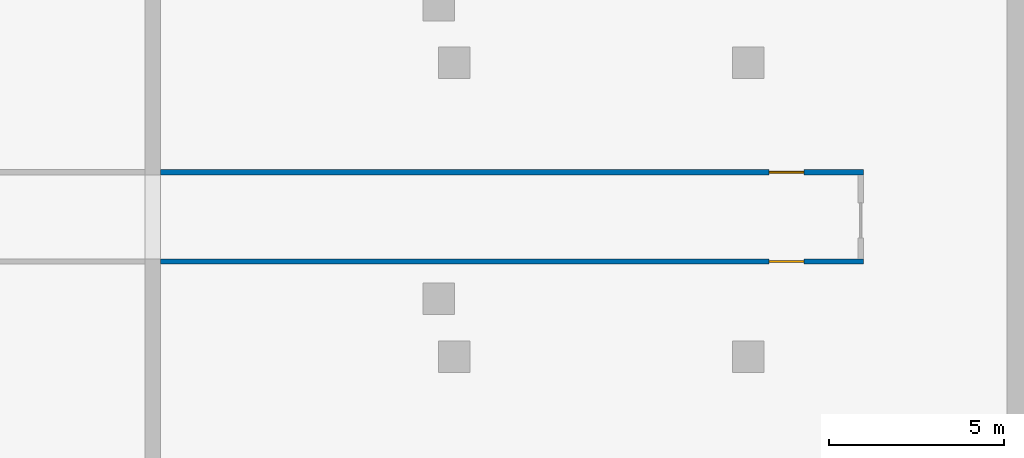
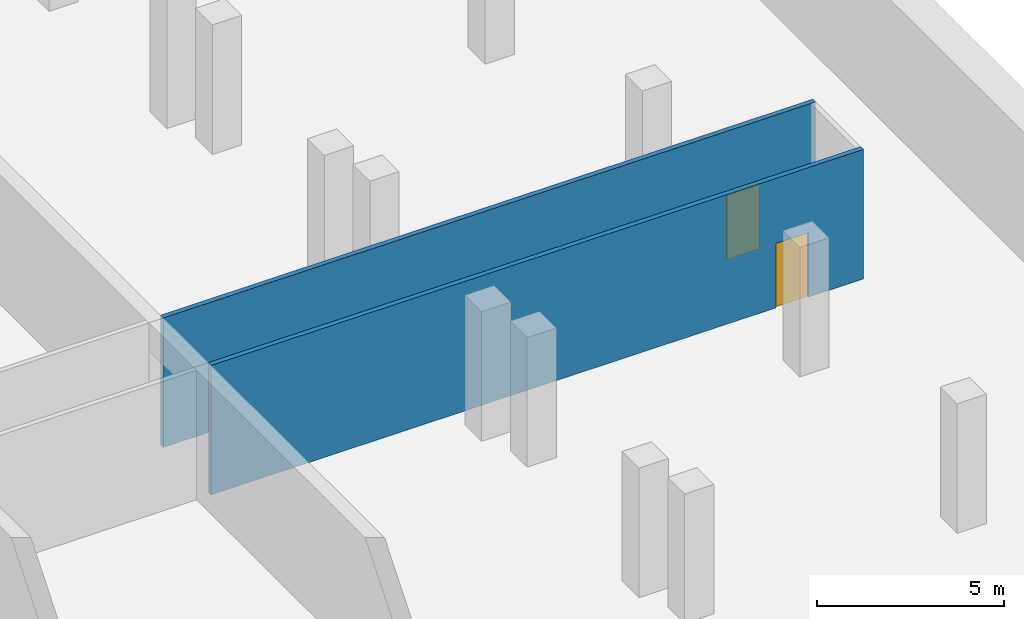
# One storey, part 9 of 13: 2 doors, 2 walls, 2 openings.
"""IFC4 building model written with IfcOpenShell, lengths in metres."""

from ifc_helpers import new_model, si_unit, direction, frame, frame_2d, origin, place, context, subcontext, project, spatial, rectangle, extrude, source, transform, mapped, material, layer, layer_set, type_object, element, fill, save


model = new_model("IFC4")

# Units and contexts
model_context = context("Model", 3, precision=1e-05, world=origin(), true_north=direction((0.0, 1.0)))
body_context = subcontext(model_context, "Body", "Model", "MODEL_VIEW")
ifc_project = project(units=[si_unit("LENGTHUNIT", "METRE"), si_unit("AREAUNIT", "SQUARE_METRE"), si_unit("VOLUMEUNIT", "CUBIC_METRE"), si_unit("PLANEANGLEUNIT", "RADIAN"), si_unit("MASSUNIT", "GRAM", prefix="KILO")], contexts=[model_context])

# Site, building, storey
site_placement = place(None, origin())
site = spatial("IfcSite", under=ifc_project, at=site_placement, CompositionType="ELEMENT")
building_placement = place(site_placement, origin())
building = spatial("IfcBuilding", under=site, at=building_placement, Name="Vanashikhar Sky Hotel", CompositionType="ELEMENT")
storey_placement = place(building_placement, frame((0.0, 0.0, -9.0)))
storey = spatial("IfcBuildingStorey", under=building, at=storey_placement, Name="B2", CompositionType="ELEMENT", Elevation=-9.0)

# Wall, opening, door
ifc_material_1 = material(Name="Concrete M30", Category="concrete")
ifc_layer = layer(ifc_material_1, 0.14990234375)
ifc_layer_set = layer_set([ifc_layer], Name="Car park partition 150 mm")
wall_type = type_object("IfcWallType", Name="Car park partition 150 mm", PredefinedType="PARTITIONING", material=ifc_layer_set)
shared_shape_1 = source(origin(), body_context, "Body", "SweptSolid", [
    extrude(rectangle(XDim=20.099853515625, YDim=0.14990234375, at=frame_2d((10.0498046875, 0.0))), origin(), (0.0, 0.0, 1.0), 4.219970703125),
])
wall_1_placement = place(storey_placement, frame((100.800048828125, 19.52490234375, 0.0), z_axis=(0.0, 0.0, 1.0), x_axis=(1.0, 0.0, 0.0)))
wall_1 = element("IfcWall", 1, at=wall_1_placement, inside=storey, type_object=wall_type, Name="Car park partition", PredefinedType="PARTITIONING", context=body_context, shape_type="MappedRepresentation", body=[
    mapped(shared_shape_1, transform((0.0, 0.0, 0.0), scale=1.0)),
])
shared_shape_2 = source(origin(), body_context, "Body", "SweptSolid", [
    extrude(rectangle(XDim=1.0, YDim=2.10009765625, at=frame_2d((0.5, 1.050048828125))), frame((0.0, 0.0849609375, 0.0), z_axis=(0.0, -1.0, 0.0), x_axis=(1.0, 0.0, 0.0)), (0.0, 0.0, 1.0), 0.169921875),
])
opening_1_placement = place(wall_1_placement, frame((17.39990234375, 0.0, 0.0)))
opening_1 = element("IfcOpeningElement", 2, at=opening_1_placement, cuts=wall_1, Name="Opening PD-03", PredefinedType="OPENING", context=body_context, shape_type="MappedRepresentation", body=[
    mapped(shared_shape_2, transform((0.0, 0.0, 0.0), scale=1.0)),
])
ifc_material_2 = material(Name="Steel S355", Category="steel")
door_type = type_object("IfcDoorType", Name="Car park lobby door 1000 FD120", OperationType="NOTDEFINED", PredefinedType="DOOR", material=ifc_material_2)
shared_shape_3 = source(origin(), body_context, "Body", "SweptSolid", [
    extrude(rectangle(XDim=1.0, YDim=2.10009765625, at=frame_2d((0.5, 1.050048828125))), frame((0.0, 0.02490234375, 0.0), z_axis=(0.0, -1.0, 0.0), x_axis=(1.0, 0.0, 0.0)), (0.0, 0.0, 1.0), 0.050048828125),
])
door_1_placement = place(opening_1_placement, origin())
door_1 = element("IfcDoor", 3, at=door_1_placement, inside=storey, type_object=door_type, Name="Car park lobby door", OperationType="SINGLE_SWING_LEFT", OverallHeight=2.10009765625, OverallWidth=1.0, PredefinedType="DOOR", context=body_context, shape_type="MappedRepresentation", body=[
    mapped(shared_shape_3, transform((0.0, 0.0, 0.0), scale=1.0)),
])
fill(opening_1, door_1)

wall_2_placement = place(storey_placement, frame((100.800048828125, 22.074951171875, 0.0), z_axis=(0.0, 0.0, 1.0), x_axis=(1.0, 0.0, 0.0)))
wall_2 = element("IfcWall", 4, at=wall_2_placement, inside=storey, type_object=wall_type, Name="Car park partition", PredefinedType="PARTITIONING", context=body_context, shape_type="MappedRepresentation", body=[
    mapped(shared_shape_1, transform((0.0, 0.0, 0.0), scale=1.0)),
])
opening_2_placement = place(wall_2_placement, frame((17.39990234375, 0.0, 0.0)))
opening_2 = element("IfcOpeningElement", 5, at=opening_2_placement, cuts=wall_2, Name="Opening PD-04", PredefinedType="OPENING", context=body_context, shape_type="MappedRepresentation", body=[
    mapped(shared_shape_2, transform((0.0, 0.0, 0.0), scale=1.0)),
])
door_2_placement = place(opening_2_placement, origin())
door_2 = element("IfcDoor", 6, at=door_2_placement, inside=storey, type_object=door_type, Name="Car park lobby door", OperationType="SINGLE_SWING_RIGHT", OverallHeight=2.10009765625, OverallWidth=1.0, PredefinedType="DOOR", context=body_context, shape_type="MappedRepresentation", body=[
    mapped(shared_shape_3, transform((0.0, 0.0, 0.0), scale=1.0)),
])
fill(opening_2, door_2)

save(model, "model.ifc")
